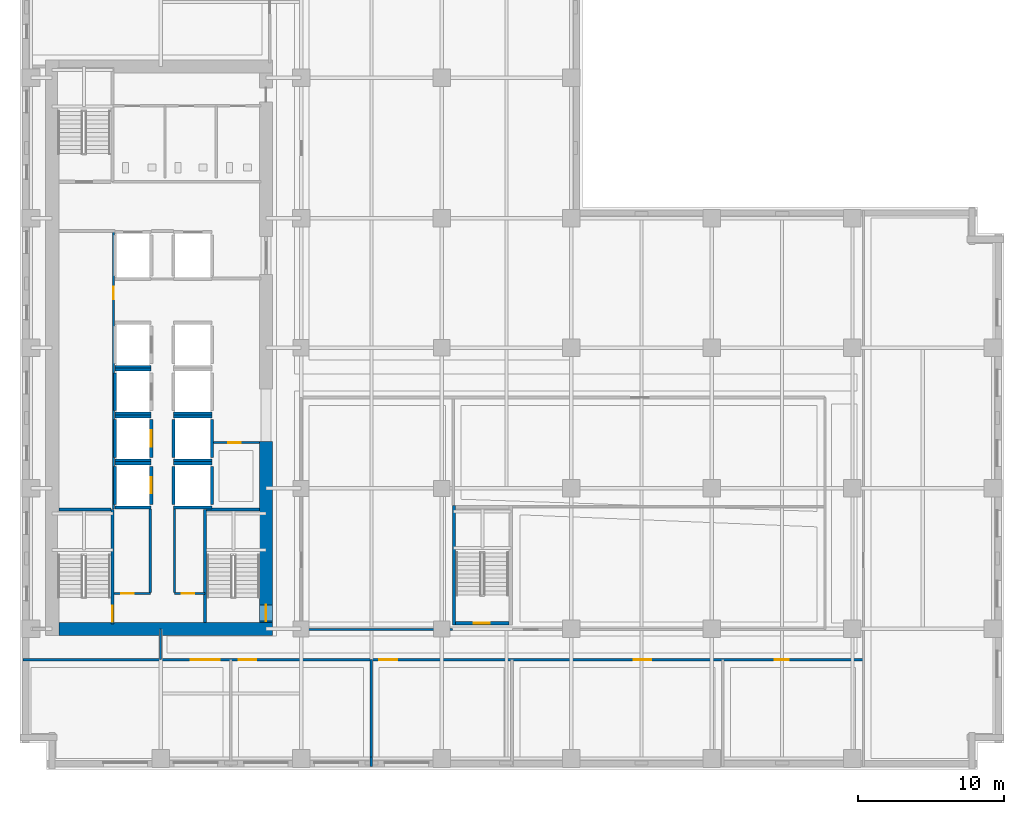
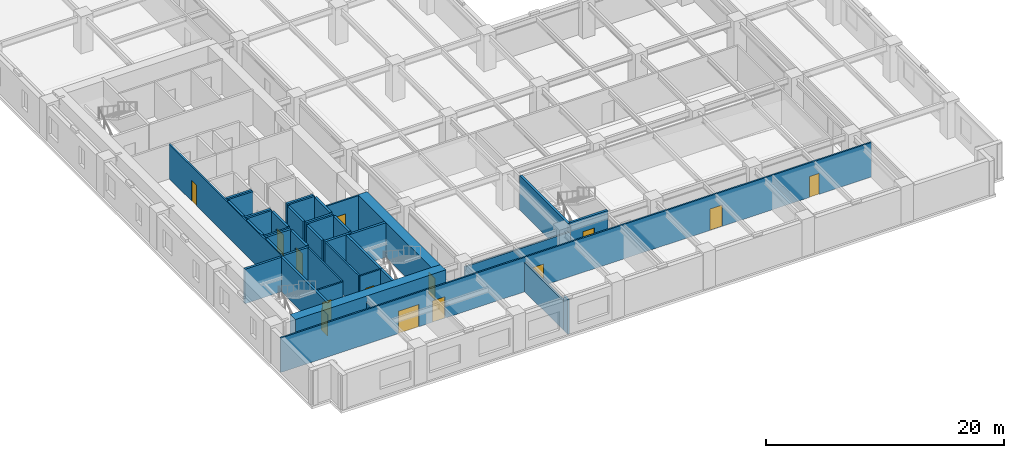
# One storey, part 4 of 13: 40 walls, 14 doors, 14 openings.
"""IFC4 building model written with IfcOpenShell, lengths in metres."""

from ifc_helpers import new_model, si_unit, direction, frame, frame_2d, origin, place, context, subcontext, project, spatial, rectangle, extrude, material, layer, layer_set, type_object, element, fill, save


model = new_model("IFC4")

# Units and contexts
model_context = context("Model", 3, precision=1e-05, world=origin(), true_north=direction((0.0, 1.0)))
body_context = subcontext(model_context, "Body", "Model", "MODEL_VIEW")
ifc_project = project(units=[si_unit("LENGTHUNIT", "METRE"), si_unit("AREAUNIT", "SQUARE_METRE"), si_unit("VOLUMEUNIT", "CUBIC_METRE"), si_unit("PLANEANGLEUNIT", "RADIAN"), si_unit("MASSUNIT", "GRAM", prefix="KILO")], contexts=[model_context])

# Site, building, storey
site_placement = place(None, origin())
site = spatial("IfcSite", under=ifc_project, at=site_placement, CompositionType="ELEMENT")
building_placement = place(site_placement, origin())
building = spatial("IfcBuilding", under=site, at=building_placement, Name="Norrvale University Quadrangle", CompositionType="ELEMENT")
storey_placement = place(building_placement, frame((0.0, 0.0, 31.800048828125)))
storey = spatial("IfcBuildingStorey", under=building, at=storey_placement, Name="L07", CompositionType="ELEMENT", Elevation=31.800048828125)

# Wall
ifc_material_1 = material(Name="Concrete C80/95", Category="concrete")
ifc_layer_1 = layer(ifc_material_1, 0.89990234375, Name="Concrete C80/95")
ifc_layer_set_1 = layer_set([ifc_layer_1], Name="Concrete C80/95")
wall_type_1 = type_object("IfcWallType", Name="Wall Core 900", PredefinedType="SHEAR", material=ifc_layer_set_1)
wall_1_placement = place(storey_placement, frame((2.64990234375, 9.60009765625, 0.0), z_axis=(0.0, 0.0, 1.0), x_axis=(1.0, 0.0, 0.0)))
element("IfcWall", 1, at=wall_1_placement, inside=storey, type_object=wall_type_1, Name="Tower Core Shear Wall L07-S", PredefinedType="SHEAR", context=body_context, shape_type="SweptSolid", body=[
    extrude(rectangle(XDim=14.60009765625, YDim=0.89990234375, at=frame_2d((7.300048828125, 0.0))), origin(), (0.0, 0.0, 1.0), 3.5400390625),
])

# Wall, opening, door
wall_2_placement = place(storey_placement, frame((16.800048828125, 10.050048828125, 0.0), z_axis=(0.0, 0.0, 1.0), x_axis=(0.0, 1.0, 0.0)))
wall_2 = element("IfcWall", 2, at=wall_2_placement, inside=storey, type_object=wall_type_1, Name="Tower Core Shear Wall L07-E1", PredefinedType="SHEAR", context=body_context, shape_type="SweptSolid", body=[
    extrude(rectangle(XDim=12.349853515625, YDim=0.89990234375, at=frame_2d((6.1748046875, 0.0))), origin(), (0.0, 0.0, 1.0), 3.5400390625),
])
opening_1_placement = place(wall_2_placement, frame((0.090087890625, 0.0, 0.0)))
opening_1 = element("IfcOpeningElement", 3, at=opening_1_placement, cuts=wall_2, Name="Opening D02", PredefinedType="OPENING", context=body_context, shape_type="SweptSolid", body=[
    extrude(rectangle(XDim=1.10009765625, YDim=2.199951171875, at=frame_2d((0.550048828125, 1.10009765625))), frame((0.0, 0.4619140625, 0.0), z_axis=(0.0, -1.0, 0.0), x_axis=(1.0, 0.0, 0.0)), (0.0, 0.0, 1.0), 0.923828125),
])
ifc_material_2 = material(Name="Hollow Steel 350W Fire Door", Category="steel")
door_type_1 = type_object("IfcDoorType", Name="Door Stair Exit 1100x2200", OperationType="NOTDEFINED", PredefinedType="DOOR", material=ifc_material_2)
door_1_placement = place(opening_1_placement, origin())
door_1 = element("IfcDoor", 4, at=door_1_placement, inside=storey, type_object=door_type_1, Name="Door Stair Exit 1100x2200 DR-L07-ST03", OperationType="SINGLE_SWING_LEFT", OverallHeight=2.199951171875, OverallWidth=1.10009765625, PredefinedType="DOOR", context=body_context, shape_type="SweptSolid", body=[
    extrude(rectangle(XDim=1.10009765625, YDim=2.199951171875, at=frame_2d((0.550048828125, 1.10009765625))), frame((0.0, 0.02490234375, 0.0), z_axis=(0.0, -1.0, 0.0), x_axis=(1.0, 0.0, 0.0)), (0.0, 0.0, 1.0), 0.050048828125),
])
fill(opening_1, door_1)

ifc_material_3 = material(Name="Fire-Rated Gypsum Stud Partition")
ifc_layer_2 = layer(ifc_material_3, 0.14990234375, Name="Fire-Rated Gypsum Stud Partition")
ifc_layer_set_2 = layer_set([ifc_layer_2], Name="Fire-Rated Gypsum Stud Partition")
wall_type_2 = type_object("IfcWallType", Name="Wall Gypsum Corridor 150", PredefinedType="PARTITIONING", material=ifc_layer_set_2)
wall_3_placement = place(storey_placement, frame((6.419921875, 12.02001953125, 0.0), z_axis=(0.0, 0.0, 1.0), x_axis=(1.0, 0.0, 0.0)))
wall_3 = element("IfcWall", 5, at=wall_3_placement, inside=storey, type_object=wall_type_2, Name="Interior Partition WL-L07-SC-NL", PredefinedType="PARTITIONING", context=body_context, shape_type="SweptSolid", body=[
    extrude(rectangle(XDim=2.47998046875, YDim=0.14990234375, at=frame_2d((1.239990234375, 0.0))), origin(), (0.0, 0.0, 1.0), 3.5400390625),
])
opening_2_placement = place(wall_3_placement, frame((0.5, 0.0, 0.0)))
opening_2 = element("IfcOpeningElement", 6, at=opening_2_placement, cuts=wall_3, Name="Opening D10", PredefinedType="OPENING", context=body_context, shape_type="SweptSolid", body=[
    extrude(rectangle(XDim=0.85009765625, YDim=2.10009765625, at=frame_2d((0.425048828125, 1.050048828125))), frame((0.0, 0.0869140625, 0.0), z_axis=(0.0, -1.0, 0.0), x_axis=(1.0, 0.0, 0.0)), (0.0, 0.0, 1.0), 0.173828125),
])
ifc_material_4 = material(Name="Hollow Steel 350W Riser Fire Door", Category="steel")
door_type_2 = type_object("IfcDoorType", Name="Door Riser 850x2100", OperationType="NOTDEFINED", PredefinedType="DOOR", material=ifc_material_4)
door_2_placement = place(opening_2_placement, origin())
door_2 = element("IfcDoor", 7, at=door_2_placement, inside=storey, type_object=door_type_2, Name="Door Riser 850x2100 DR-L07-ELEC", OperationType="SINGLE_SWING_LEFT", OverallHeight=2.10009765625, OverallWidth=0.85009765625, PredefinedType="DOOR", context=body_context, shape_type="SweptSolid", body=[
    extrude(rectangle(XDim=0.85009765625, YDim=2.10009765625, at=frame_2d((0.425048828125, 1.050048828125))), frame((0.0, 0.02490234375, 0.0), z_axis=(0.0, -1.0, 0.0), x_axis=(1.0, 0.0, 0.0)), (0.0, 0.0, 1.0), 0.050048828125),
])
fill(opening_2, door_2)

wall_4_placement = place(storey_placement, frame((10.550048828125, 12.02001953125, 0.0), z_axis=(0.0, 0.0, 1.0), x_axis=(1.0, 0.0, 0.0)))
wall_4 = element("IfcWall", 8, at=wall_4_placement, inside=storey, type_object=wall_type_2, Name="Interior Partition WL-L07-SC-NR", PredefinedType="PARTITIONING", context=body_context, shape_type="SweptSolid", body=[
    extrude(rectangle(XDim=2.079833984375, YDim=0.14990234375, at=frame_2d((1.0400390625, 0.0))), origin(), (0.0, 0.0, 1.0), 3.5400390625),
])
opening_3_placement = place(wall_4_placement, frame((0.5, 0.0, 0.0)))
opening_3 = element("IfcOpeningElement", 9, at=opening_3_placement, cuts=wall_4, Name="Opening D10", PredefinedType="OPENING", context=body_context, shape_type="SweptSolid", body=[
    extrude(rectangle(XDim=0.85009765625, YDim=2.10009765625, at=frame_2d((0.425048828125, 1.050048828125))), frame((0.0, 0.0869140625, 0.0), z_axis=(0.0, -1.0, 0.0), x_axis=(1.0, 0.0, 0.0)), (0.0, 0.0, 1.0), 0.173828125),
])
door_3_placement = place(opening_3_placement, origin())
door_3 = element("IfcDoor", 10, at=door_3_placement, inside=storey, type_object=door_type_2, Name="Door Riser 850x2100 DR-L07-IDF", OperationType="SINGLE_SWING_RIGHT", OverallHeight=2.10009765625, OverallWidth=0.85009765625, PredefinedType="DOOR", context=body_context, shape_type="SweptSolid", body=[
    extrude(rectangle(XDim=0.85009765625, YDim=2.10009765625, at=frame_2d((0.425048828125, 1.050048828125))), frame((0.0, 0.02490234375, 0.0), z_axis=(0.0, -1.0, 0.0), x_axis=(1.0, 0.0, 0.0)), (0.0, 0.0, 1.0), 0.050048828125),
])
fill(opening_3, door_3)

# Walls
for number, where, z_axis, x_axis, name in (
    (11, (8.89990234375, 12.094970703125, 0.0), (0.0, 0.0, 1.0), (0.0, 1.0, 0.0), "Interior Partition WL-L07-SC-WL"),
    (12, (10.550048828125, 12.094970703125, 0.0), (0.0, 0.0, 1.0), (0.0, 1.0, 0.0), "Interior Partition WL-L07-SC-WR"),
):
    element("IfcWall", number, at=place(storey_placement, frame(where, z_axis=z_axis, x_axis=x_axis)), inside=storey, type_object=wall_type_2, Name=name, PredefinedType="PARTITIONING", context=body_context, shape_type="SweptSolid", body=[
        extrude(rectangle(XDim=5.679931640625, YDim=0.14990234375, at=frame_2d((2.83984375, 0.0))), origin(), (0.0, 0.0, 1.0), 3.5400390625),
    ])

# Wall, opening, door
wall_5_placement = place(storey_placement, frame((13.22509765625, 22.320068359375, 0.0), z_axis=(0.0, 0.0, 1.0), x_axis=(1.0, 0.0, 0.0)))
wall_5 = element("IfcWall", 13, at=wall_5_placement, inside=storey, type_object=wall_type_2, Name="Interior Partition WL-L07-JAN-N", PredefinedType="PARTITIONING", context=body_context, shape_type="SweptSolid", body=[
    extrude(rectangle(XDim=3.119873046875, YDim=0.14990234375, at=frame_2d((1.56005859375, 0.0))), origin(), (0.0, 0.0, 1.0), 3.5400390625),
])
opening_4_placement = place(wall_5_placement, frame((1.0, 0.0, 0.0)))
opening_4 = element("IfcOpeningElement", 14, at=opening_4_placement, cuts=wall_5, Name="Opening D10", PredefinedType="OPENING", context=body_context, shape_type="SweptSolid", body=[
    extrude(rectangle(XDim=0.85009765625, YDim=2.10009765625, at=frame_2d((0.425048828125, 1.050048828125))), frame((0.0, 0.0869140625, 0.0), z_axis=(0.0, -1.0, 0.0), x_axis=(1.0, 0.0, 0.0)), (0.0, 0.0, 1.0), 0.173828125),
])
door_4_placement = place(opening_4_placement, origin())
door_4 = element("IfcDoor", 15, at=door_4_placement, inside=storey, type_object=door_type_2, Name="Door Riser 850x2100 DR-L07-JAN", OperationType="SINGLE_SWING_LEFT", OverallHeight=2.10009765625, OverallWidth=0.85009765625, PredefinedType="DOOR", context=body_context, shape_type="SweptSolid", body=[
    extrude(rectangle(XDim=0.85009765625, YDim=2.10009765625, at=frame_2d((0.425048828125, 1.050048828125))), frame((0.0, 0.02490234375, 0.0), z_axis=(0.0, -1.0, 0.0), x_axis=(1.0, 0.0, 0.0)), (0.0, 0.0, 1.0), 0.050048828125),
])
fill(opening_4, door_4)

wall_6_placement = place(storey_placement, frame((6.3798828125, 17.800048828125, 0.0), z_axis=(0.0, 0.0, 1.0), x_axis=(0.0, 1.0, 0.0)))
wall_6 = element("IfcWall", 16, at=wall_6_placement, inside=storey, type_object=wall_type_2, Name="Interior Partition WL-L07-WME-E", PredefinedType="PARTITIONING", context=body_context, shape_type="SweptSolid", body=[
    extrude(rectangle(XDim=18.97998046875, YDim=0.14990234375, at=frame_2d((9.489990234375, 0.0))), origin(), (0.0, 0.0, 1.0), 3.5400390625),
])
opening_5_placement = place(wall_6_placement, frame((14.300048828125, 0.0, 0.0)))
opening_5 = element("IfcOpeningElement", 17, at=opening_5_placement, cuts=wall_6, Name="Opening D10", PredefinedType="OPENING", context=body_context, shape_type="SweptSolid", body=[
    extrude(rectangle(XDim=0.85009765625, YDim=2.10009765625, at=frame_2d((0.425048828125, 1.050048828125))), frame((0.0, 0.0869140625, 0.0), z_axis=(0.0, -1.0, 0.0), x_axis=(1.0, 0.0, 0.0)), (0.0, 0.0, 1.0), 0.173828125),
])
door_5_placement = place(opening_5_placement, origin())
door_5 = element("IfcDoor", 18, at=door_5_placement, inside=storey, type_object=door_type_2, Name="Door Riser 850x2100 DR-L07-WME", OperationType="SINGLE_SWING_LEFT", OverallHeight=2.10009765625, OverallWidth=0.85009765625, PredefinedType="DOOR", context=body_context, shape_type="SweptSolid", body=[
    extrude(rectangle(XDim=0.85009765625, YDim=2.10009765625, at=frame_2d((0.425048828125, 1.050048828125))), frame((0.0, 0.02490234375, 0.0), z_axis=(0.0, -1.0, 0.0), x_axis=(1.0, 0.0, 0.0)), (0.0, 0.0, 1.0), 0.050048828125),
])
fill(opening_5, door_5)

# Wall
wall_7_placement = place(storey_placement, frame((9.60009765625, 7.5, 0.0), z_axis=(0.0, 0.0, 1.0), x_axis=(0.0, 1.0, 0.0)))
element("IfcWall", 19, at=wall_7_placement, inside=storey, type_object=wall_type_2, Name="Interior Partition WL-L07-CSW-END", PredefinedType="PARTITIONING", context=body_context, shape_type="SweptSolid", body=[
    extrude(rectangle(XDim=2.10009765625, YDim=0.14990234375, at=frame_2d((1.050048828125, 0.0))), origin(), (0.0, 0.0, 1.0), 2.9228515625),
])

# Wall, openings, doors
wall_8_placement = place(storey_placement, frame((0.219970703125, 7.5, 0.0), z_axis=(0.0, 0.0, 1.0), x_axis=(1.0, 0.0, 0.0)))
wall_8 = element("IfcWall", 20, at=wall_8_placement, inside=storey, type_object=wall_type_2, Name="Interior Partition WL-L07-SCW", PredefinedType="PARTITIONING", context=body_context, shape_type="SweptSolid", body=[
    extrude(rectangle(XDim=57.380126953125, YDim=0.14990234375, at=frame_2d((28.68994140625, 0.0))), origin(), (0.0, 0.0, 1.0), 3.5400390625),
])
opening_6_placement = place(wall_8_placement, frame((11.429931640625, 0.0, 0.0)))
opening_6 = element("IfcOpeningElement", 21, at=opening_6_placement, cuts=wall_8, Name="Opening D06", PredefinedType="OPENING", context=body_context, shape_type="SweptSolid", body=[
    extrude(rectangle(XDim=2.0, YDim=2.300048828125, at=frame_2d((1.0, 1.14990234375))), frame((0.0, 0.0869140625, 0.0), z_axis=(0.0, -1.0, 0.0), x_axis=(1.0, 0.0, 0.0)), (0.0, 0.0, 1.0), 0.173828125),
])
opening_7_placement = place(wall_8_placement, frame((14.72998046875, 0.0, 0.0)))
opening_7 = element("IfcOpeningElement", 22, at=opening_7_placement, cuts=wall_8, Name="Opening D05", PredefinedType="OPENING", context=body_context, shape_type="SweptSolid", body=[
    extrude(rectangle(XDim=1.199951171875, YDim=2.199951171875, at=frame_2d((0.60009765625, 1.10009765625))), frame((0.0, 0.0869140625, 0.0), z_axis=(0.0, -1.0, 0.0), x_axis=(1.0, 0.0, 0.0)), (0.0, 0.0, 1.0), 0.173828125),
])
opening_8_placement = place(wall_8_placement, frame((24.330078125, 0.0, 0.0)))
opening_8 = element("IfcOpeningElement", 23, at=opening_8_placement, cuts=wall_8, Name="Opening D05", PredefinedType="OPENING", context=body_context, shape_type="SweptSolid", body=[
    extrude(rectangle(XDim=1.199951171875, YDim=2.199951171875, at=frame_2d((0.60009765625, 1.10009765625))), frame((0.0, 0.0869140625, 0.0), z_axis=(0.0, -1.0, 0.0), x_axis=(1.0, 0.0, 0.0)), (0.0, 0.0, 1.0), 0.173828125),
])
opening_9_placement = place(wall_8_placement, frame((41.679931640625, 0.0, 0.0)))
opening_9 = element("IfcOpeningElement", 24, at=opening_9_placement, cuts=wall_8, Name="Opening D05", PredefinedType="OPENING", context=body_context, shape_type="SweptSolid", body=[
    extrude(rectangle(XDim=1.199951171875, YDim=2.199951171875, at=frame_2d((0.60009765625, 1.10009765625))), frame((0.0, 0.0869140625, 0.0), z_axis=(0.0, -1.0, 0.0), x_axis=(1.0, 0.0, 0.0)), (0.0, 0.0, 1.0), 0.173828125),
])
opening_10_placement = place(wall_8_placement, frame((51.330078125, 0.0, 0.0)))
opening_10 = element("IfcOpeningElement", 25, at=opening_10_placement, cuts=wall_8, Name="Opening D07", PredefinedType="OPENING", context=body_context, shape_type="SweptSolid", body=[
    extrude(rectangle(XDim=0.949951171875, YDim=2.14990234375, at=frame_2d((0.47509765625, 1.074951171875))), frame((0.0, 0.0869140625, 0.0), z_axis=(0.0, -1.0, 0.0), x_axis=(1.0, 0.0, 0.0)), (0.0, 0.0, 1.0), 0.173828125),
])
ifc_material_5 = material(Name="Acoustic Oak Classroom Door", Category="wood")
door_type_3 = type_object("IfcDoorType", Name="Door Classroom 1200x2200", OperationType="NOTDEFINED", PredefinedType="DOOR", material=ifc_material_5)
door_6_placement = place(opening_7_placement, origin())
door_6 = element("IfcDoor", 26, at=door_6_placement, inside=storey, type_object=door_type_3, Name="Door Classroom 1200x2200 DR-L07-S02", OperationType="SINGLE_SWING_RIGHT", OverallHeight=2.199951171875, OverallWidth=1.199951171875, PredefinedType="DOOR", context=body_context, shape_type="SweptSolid", body=[
    extrude(rectangle(XDim=1.199951171875, YDim=2.199951171875, at=frame_2d((0.60009765625, 1.10009765625))), frame((0.0, 0.02490234375, 0.0), z_axis=(0.0, -1.0, 0.0), x_axis=(1.0, 0.0, 0.0)), (0.0, 0.0, 1.0), 0.050048828125),
])
fill(opening_7, door_6)
door_7_placement = place(opening_8_placement, origin())
door_7 = element("IfcDoor", 27, at=door_7_placement, inside=storey, type_object=door_type_3, Name="Door Classroom 1200x2200 DR-L07-S03", OperationType="SINGLE_SWING_LEFT", OverallHeight=2.199951171875, OverallWidth=1.199951171875, PredefinedType="DOOR", context=body_context, shape_type="SweptSolid", body=[
    extrude(rectangle(XDim=1.199951171875, YDim=2.199951171875, at=frame_2d((0.60009765625, 1.10009765625))), frame((0.0, 0.02490234375, 0.0), z_axis=(0.0, -1.0, 0.0), x_axis=(1.0, 0.0, 0.0)), (0.0, 0.0, 1.0), 0.050048828125),
])
fill(opening_8, door_7)
door_8_placement = place(opening_9_placement, origin())
door_8 = element("IfcDoor", 28, at=door_8_placement, inside=storey, type_object=door_type_3, Name="Door Classroom 1200x2200 DR-L07-S04", OperationType="SINGLE_SWING_RIGHT", OverallHeight=2.199951171875, OverallWidth=1.199951171875, PredefinedType="DOOR", context=body_context, shape_type="SweptSolid", body=[
    extrude(rectangle(XDim=1.199951171875, YDim=2.199951171875, at=frame_2d((0.60009765625, 1.10009765625))), frame((0.0, 0.02490234375, 0.0), z_axis=(0.0, -1.0, 0.0), x_axis=(1.0, 0.0, 0.0)), (0.0, 0.0, 1.0), 0.050048828125),
])
fill(opening_9, door_8)
ifc_material_6 = material(Name="Acoustic Oak Double Door", Category="wood")
door_type_4 = type_object("IfcDoorType", Name="Door Lecture Dbl 2000x2300", OperationType="DOUBLE_SWING_LEFT", PredefinedType="DOOR", material=ifc_material_6)
door_9_placement = place(opening_6_placement, origin())
door_9 = element("IfcDoor", 29, at=door_9_placement, inside=storey, type_object=door_type_4, Name="Door Lecture Dbl 2000x2300 DR-L07-S01", OperationType="DOUBLE_SWING_LEFT", OverallHeight=2.300048828125, OverallWidth=2.0, PredefinedType="DOOR", context=body_context, shape_type="SweptSolid", body=[
    extrude(rectangle(XDim=2.0, YDim=2.300048828125, at=frame_2d((1.0, 1.14990234375))), frame((0.0, 0.02490234375, 0.0), z_axis=(0.0, -1.0, 0.0), x_axis=(1.0, 0.0, 0.0)), (0.0, 0.0, 1.0), 0.050048828125),
])
fill(opening_6, door_9)
ifc_material_7 = material(Name="Solid-Core Maple Door", Category="wood")
door_type_5 = type_object("IfcDoorType", Name="Door Office 950x2150", OperationType="NOTDEFINED", PredefinedType="DOOR", material=ifc_material_7)
door_10_placement = place(opening_10_placement, origin())
door_10 = element("IfcDoor", 30, at=door_10_placement, inside=storey, type_object=door_type_5, Name="Door Office 950x2150 DR-L07-S05", OperationType="SINGLE_SWING_LEFT", OverallHeight=2.14990234375, OverallWidth=0.949951171875, PredefinedType="DOOR", context=body_context, shape_type="SweptSolid", body=[
    extrude(rectangle(XDim=0.949951171875, YDim=2.14990234375, at=frame_2d((0.47509765625, 1.074951171875))), frame((0.0, 0.02490234375, 0.0), z_axis=(0.0, -1.0, 0.0), x_axis=(1.0, 0.0, 0.0)), (0.0, 0.0, 1.0), 0.050048828125),
])
fill(opening_10, door_10)

# Walls
wall_9_placement = place(storey_placement, frame((19.280029296875, 9.550048828125, 0.0), z_axis=(0.0, 0.0, 1.0), x_axis=(1.0, 0.0, 0.0)))
element("IfcWall", 31, at=wall_9_placement, inside=storey, type_object=wall_type_2, Name="Interior Partition WL-L07-ISLS1", PredefinedType="PARTITIONING", context=body_context, shape_type="SweptSolid", body=[
    extrude(rectangle(XDim=10.244873046875, YDim=0.14990234375, at=frame_2d((5.12255859375, 0.0))), origin(), (0.0, 0.0, 1.0), 2.9228515625),
])
ifc_material_8 = material(Name="Acoustic Double-Stud Gypsum Partition")
ifc_layer_3 = layer(ifc_material_8, 0.179931640625, Name="Acoustic Double-Stud Gypsum Partition")
ifc_layer_set_3 = layer_set([ifc_layer_3], Name="Acoustic Double-Stud Gypsum Partition")
wall_type_3 = type_object("IfcWallType", Name="Wall Gypsum Lecture 180", PredefinedType="PARTITIONING", material=ifc_layer_set_3)
wall_10_placement = place(storey_placement, frame((24.0, 0.219970703125, 0.0), z_axis=(0.0, 0.0, 1.0), x_axis=(0.0, 1.0, 0.0)))
element("IfcWall", 32, at=wall_10_placement, inside=storey, type_object=wall_type_3, Name="Interior Partition WL-L07-SP02", PredefinedType="PARTITIONING", context=body_context, shape_type="SweptSolid", body=[
    extrude(rectangle(XDim=0.64501953125, YDim=0.179931640625, at=frame_2d((0.322509765625, 0.0))), origin(), (0.0, 0.0, 1.0), 3.5400390625),
])
wall_11_placement = place(storey_placement, frame((24.0, 0.864990234375, 0.0), z_axis=(0.0, 0.0, 1.0), x_axis=(0.0, 1.0, 0.0)))
element("IfcWall", 33, at=wall_11_placement, inside=storey, type_object=wall_type_3, Name="Interior Partition WL-L07-SP02-B2", PredefinedType="PARTITIONING", context=body_context, shape_type="SweptSolid", body=[
    extrude(rectangle(XDim=6.635009765625, YDim=0.179931640625, at=frame_2d((3.3173828125, 0.0))), origin(), (0.0, 0.0, 1.0), 3.0068359375),
])

# Wall, opening, door
ifc_material_9 = material(Name="Concrete Blockwork 20 MPa Fire Shaft", Category="masonry")
ifc_layer_4 = layer(ifc_material_9, 0.219970703125, Name="Concrete Blockwork 20 MPa Fire Shaft")
ifc_layer_set_4 = layer_set([ifc_layer_4], Name="Concrete Blockwork 20 MPa Fire Shaft")
wall_type_4 = type_object("IfcWallType", Name="Wall Shaft 220", PredefinedType="SOLIDWALL", material=ifc_layer_set_4)
wall_12_placement = place(storey_placement, frame((6.31005859375, 9.949951171875, 0.0), z_axis=(0.0, 0.0, 1.0), x_axis=(0.0, 1.0, 0.0)))
wall_12 = element("IfcWall", 34, at=wall_12_placement, inside=storey, type_object=wall_type_4, Name="Stair ST-01 East Shaft Wall L07", PredefinedType="SOLIDWALL", context=body_context, shape_type="SweptSolid", body=[
    extrude(rectangle(XDim=7.81005859375, YDim=0.219970703125, at=frame_2d((3.905029296875, 0.0))), origin(), (0.0, 0.0, 1.0), 3.5400390625),
])
opening_11_placement = place(wall_12_placement, frame((0.139892578125, 0.0, 0.0)))
opening_11 = element("IfcOpeningElement", 35, at=opening_11_placement, cuts=wall_12, Name="Opening D02", PredefinedType="OPENING", context=body_context, shape_type="SweptSolid", body=[
    extrude(rectangle(XDim=1.10009765625, YDim=2.199951171875, at=frame_2d((0.550048828125, 1.10009765625))), frame((0.0, 0.1220703125, 0.0), z_axis=(0.0, -1.0, 0.0), x_axis=(1.0, 0.0, 0.0)), (0.0, 0.0, 1.0), 0.243896484375),
])
door_11_placement = place(opening_11_placement, origin())
door_11 = element("IfcDoor", 36, at=door_11_placement, inside=storey, type_object=door_type_1, Name="Door Stair Exit 1100x2200 DR-L07-ST01", OperationType="SINGLE_SWING_LEFT", OverallHeight=2.199951171875, OverallWidth=1.10009765625, PredefinedType="DOOR", context=body_context, shape_type="SweptSolid", body=[
    extrude(rectangle(XDim=1.10009765625, YDim=2.199951171875, at=frame_2d((0.550048828125, 1.10009765625))), frame((0.0, 0.02490234375, 0.0), z_axis=(0.0, -1.0, 0.0), x_axis=(1.0, 0.0, 0.0)), (0.0, 0.0, 1.0), 0.050048828125),
])
fill(opening_11, door_11)

# Walls
wall_13_placement = place(storey_placement, frame((2.64990234375, 17.760009765625, 0.0), z_axis=(0.0, 0.0, 1.0), x_axis=(1.0, 0.0, 0.0)))
element("IfcWall", 37, at=wall_13_placement, inside=storey, type_object=wall_type_4, Name="Stair ST-01 North Shaft Wall L07", PredefinedType="SOLIDWALL", context=body_context, shape_type="SweptSolid", body=[
    extrude(rectangle(XDim=3.550048828125, YDim=0.219970703125, at=frame_2d((1.77490234375, 0.0))), origin(), (0.0, 0.0, 1.0), 3.5400390625),
])
wall_14_placement = place(storey_placement, frame((12.639892578125, 10.050048828125, 0.0), z_axis=(0.0, 0.0, 1.0), x_axis=(0.0, 1.0, 0.0)))
element("IfcWall", 38, at=wall_14_placement, inside=storey, type_object=wall_type_4, Name="Stair ST-03 West Shaft Wall L07", PredefinedType="SOLIDWALL", context=body_context, shape_type="SweptSolid", body=[
    extrude(rectangle(XDim=7.7099609375, YDim=0.219970703125, at=frame_2d((3.85498046875, 0.0))), origin(), (0.0, 0.0, 1.0), 3.5400390625),
])
wall_15_placement = place(storey_placement, frame((12.75, 17.760009765625, 0.0), z_axis=(0.0, 0.0, 1.0), x_axis=(1.0, 0.0, 0.0)))
element("IfcWall", 39, at=wall_15_placement, inside=storey, type_object=wall_type_4, Name="Stair ST-03 North Shaft Wall L07", PredefinedType="SOLIDWALL", context=body_context, shape_type="SweptSolid", body=[
    extrude(rectangle(XDim=3.60009765625, YDim=0.219970703125, at=frame_2d((1.800048828125, 0.0))), origin(), (0.0, 0.0, 1.0), 3.5400390625),
])

# Wall, opening, door
wall_16_placement = place(storey_placement, frame((29.75, 9.989990234375, 0.0), z_axis=(0.0, 0.0, 1.0), x_axis=(1.0, 0.0, 0.0)))
wall_16 = element("IfcWall", 40, at=wall_16_placement, inside=storey, type_object=wall_type_4, Name="Stair ST-04 South Shaft Wall L07", PredefinedType="SOLIDWALL", context=body_context, shape_type="SweptSolid", body=[
    extrude(rectangle(XDim=3.64990234375, YDim=0.219970703125, at=frame_2d((1.824951171875, 0.0))), origin(), (0.0, 0.0, 1.0), 3.5400390625),
])
opening_12_placement = place(wall_16_placement, frame((1.239990234375, 0.0, 0.0)))
opening_12 = element("IfcOpeningElement", 41, at=opening_12_placement, cuts=wall_16, Name="Opening D02", PredefinedType="OPENING", context=body_context, shape_type="SweptSolid", body=[
    extrude(rectangle(XDim=1.10009765625, YDim=2.199951171875, at=frame_2d((0.550048828125, 1.10009765625))), frame((0.0, 0.1220703125, 0.0), z_axis=(0.0, -1.0, 0.0), x_axis=(1.0, 0.0, 0.0)), (0.0, 0.0, 1.0), 0.243896484375),
])
door_12_placement = place(opening_12_placement, origin())
door_12 = element("IfcDoor", 42, at=door_12_placement, inside=storey, type_object=door_type_1, Name="Door Stair Exit 1100x2200 DR-L07-ST04", OperationType="SINGLE_SWING_LEFT", OverallHeight=2.199951171875, OverallWidth=1.10009765625, PredefinedType="DOOR", context=body_context, shape_type="SweptSolid", body=[
    extrude(rectangle(XDim=1.10009765625, YDim=2.199951171875, at=frame_2d((0.550048828125, 1.10009765625))), frame((0.0, 0.02490234375, 0.0), z_axis=(0.0, -1.0, 0.0), x_axis=(1.0, 0.0, 0.0)), (0.0, 0.0, 1.0), 0.050048828125),
])
fill(opening_12, door_12)

# Walls
wall_17_placement = place(storey_placement, frame((29.639892578125, 9.8798828125, 0.0), z_axis=(0.0, 0.0, 1.0), x_axis=(0.0, 1.0, 0.0)))
element("IfcWall", 43, at=wall_17_placement, inside=storey, type_object=wall_type_4, Name="Stair ST-04 West Shaft Wall L07", PredefinedType="SOLIDWALL", context=body_context, shape_type="SweptSolid", body=[
    extrude(rectangle(XDim=8.14013671875, YDim=0.219970703125, at=frame_2d((4.070068359375, 0.0))), origin(), (0.0, 0.0, 1.0), 3.5400390625),
])
wall_18_placement = place(storey_placement, frame((6.489990234375, 18.110107421875, 0.0), z_axis=(0.0, 0.0, 1.0), x_axis=(0.0, 1.0, 0.0)))
element("IfcWall", 44, at=wall_18_placement, inside=storey, type_object=wall_type_4, Name="Hoistway PL-01 West Wall L07", PredefinedType="SOLIDWALL", context=body_context, shape_type="SweptSolid", body=[
    extrude(rectangle(XDim=2.579833984375, YDim=0.219970703125, at=frame_2d((1.2900390625, 0.0))), origin(), (0.0, 0.0, 1.0), 3.5400390625),
])

# Wall, opening, door
wall_19_placement = place(storey_placement, frame((8.9599609375, 18.110107421875, 0.0), z_axis=(0.0, 0.0, 1.0), x_axis=(0.0, 1.0, 0.0)))
wall_19 = element("IfcWall", 45, at=wall_19_placement, inside=storey, type_object=wall_type_4, Name="Hoistway PL-01 East Wall L07", PredefinedType="SOLIDWALL", context=body_context, shape_type="SweptSolid", body=[
    extrude(rectangle(XDim=2.579833984375, YDim=0.219970703125, at=frame_2d((1.2900390625, 0.0))), origin(), (0.0, 0.0, 1.0), 3.5400390625),
])
opening_13_placement = place(wall_19_placement, frame((0.739990234375, 0.0, 0.0)))
opening_13 = element("IfcOpeningElement", 46, at=opening_13_placement, cuts=wall_19, Name="Opening LD1", PredefinedType="OPENING", context=body_context, shape_type="SweptSolid", body=[
    extrude(rectangle(XDim=1.10009765625, YDim=2.199951171875, at=frame_2d((0.550048828125, 1.10009765625))), frame((0.0, 0.1220703125, 0.0), z_axis=(0.0, -1.0, 0.0), x_axis=(1.0, 0.0, 0.0)), (0.0, 0.0, 1.0), 0.243896484375),
])
ifc_material_10 = material(Name="Stainless Steel 316L Lift Landing Door", Category="steel")
door_type_6 = type_object("IfcDoorType", Name="Door Lift Landing 1100x2200", OperationType="DOUBLE_DOOR_SLIDING", PredefinedType="DOOR", material=ifc_material_10)
door_13_placement = place(opening_13_placement, origin())
door_13 = element("IfcDoor", 47, at=door_13_placement, inside=storey, type_object=door_type_6, Name="Elevator Landing Door DR-L07-PL-01", OperationType="DOUBLE_DOOR_SLIDING", OverallHeight=2.199951171875, OverallWidth=1.10009765625, PredefinedType="DOOR", context=body_context, shape_type="SweptSolid", body=[
    extrude(rectangle(XDim=1.10009765625, YDim=2.199951171875, at=frame_2d((0.550048828125, 1.10009765625))), frame((0.0, 0.02490234375, 0.0), z_axis=(0.0, -1.0, 0.0), x_axis=(1.0, 0.0, 0.0)), (0.0, 0.0, 1.0), 0.050048828125),
])
fill(opening_13, door_13)

# Walls
for number, where, z_axis, x_axis, name in (
    (48, (6.489990234375, 17.889892578125, 0.0), (0.0, 0.0, 1.0), (1.0, 0.0, 0.0), "Hoistway PL-01 South Wall L07"),
    (49, (6.489990234375, 20.909912109375, 0.0), (0.0, 0.0, 1.0), (1.0, 0.0, 0.0), "Hoistway PL-01 North Wall L07"),
):
    element("IfcWall", number, at=place(storey_placement, frame(where, z_axis=z_axis, x_axis=x_axis)), inside=storey, type_object=wall_type_4, Name=name, PredefinedType="SOLIDWALL", context=body_context, shape_type="SweptSolid", body=[
        extrude(rectangle(XDim=2.469970703125, YDim=0.219970703125, at=frame_2d((1.23486328125, 0.0))), origin(), (0.0, 0.0, 1.0), 3.5400390625),
    ])
wall_20_placement = place(storey_placement, frame((6.489990234375, 21.31005859375, 0.0), z_axis=(0.0, 0.0, 1.0), x_axis=(0.0, 1.0, 0.0)))
element("IfcWall", 50, at=wall_20_placement, inside=storey, type_object=wall_type_4, Name="Hoistway PL-02 West Wall L07", PredefinedType="SOLIDWALL", context=body_context, shape_type="SweptSolid", body=[
    extrude(rectangle(XDim=2.579833984375, YDim=0.219970703125, at=frame_2d((1.2900390625, 0.0))), origin(), (0.0, 0.0, 1.0), 3.5400390625),
])

# Wall, opening, door
wall_21_placement = place(storey_placement, frame((8.9599609375, 21.31005859375, 0.0), z_axis=(0.0, 0.0, 1.0), x_axis=(0.0, 1.0, 0.0)))
wall_21 = element("IfcWall", 51, at=wall_21_placement, inside=storey, type_object=wall_type_4, Name="Hoistway PL-02 East Wall L07", PredefinedType="SOLIDWALL", context=body_context, shape_type="SweptSolid", body=[
    extrude(rectangle(XDim=2.579833984375, YDim=0.219970703125, at=frame_2d((1.2900390625, 0.0))), origin(), (0.0, 0.0, 1.0), 3.5400390625),
])
opening_14_placement = place(wall_21_placement, frame((0.739990234375, 0.0, 0.0)))
opening_14 = element("IfcOpeningElement", 52, at=opening_14_placement, cuts=wall_21, Name="Opening LD1", PredefinedType="OPENING", context=body_context, shape_type="SweptSolid", body=[
    extrude(rectangle(XDim=1.10009765625, YDim=2.199951171875, at=frame_2d((0.550048828125, 1.10009765625))), frame((0.0, 0.1220703125, 0.0), z_axis=(0.0, -1.0, 0.0), x_axis=(1.0, 0.0, 0.0)), (0.0, 0.0, 1.0), 0.243896484375),
])
door_14_placement = place(opening_14_placement, origin())
door_14 = element("IfcDoor", 53, at=door_14_placement, inside=storey, type_object=door_type_6, Name="Elevator Landing Door DR-L07-PL-02", OperationType="DOUBLE_DOOR_SLIDING", OverallHeight=2.199951171875, OverallWidth=1.10009765625, PredefinedType="DOOR", context=body_context, shape_type="SweptSolid", body=[
    extrude(rectangle(XDim=1.10009765625, YDim=2.199951171875, at=frame_2d((0.550048828125, 1.10009765625))), frame((0.0, 0.02490234375, 0.0), z_axis=(0.0, -1.0, 0.0), x_axis=(1.0, 0.0, 0.0)), (0.0, 0.0, 1.0), 0.050048828125),
])
fill(opening_14, door_14)

# Walls
for number, where, z_axis, x_axis, name in (
    (54, (6.489990234375, 21.090087890625, 0.0), (0.0, 0.0, 1.0), (1.0, 0.0, 0.0), "Hoistway PL-02 South Wall L07"),
    (55, (6.489990234375, 24.110107421875, 0.0), (0.0, 0.0, 1.0), (1.0, 0.0, 0.0), "Hoistway PL-02 North Wall L07"),
):
    element("IfcWall", number, at=place(storey_placement, frame(where, z_axis=z_axis, x_axis=x_axis)), inside=storey, type_object=wall_type_4, Name=name, PredefinedType="SOLIDWALL", context=body_context, shape_type="SweptSolid", body=[
        extrude(rectangle(XDim=2.469970703125, YDim=0.219970703125, at=frame_2d((1.23486328125, 0.0))), origin(), (0.0, 0.0, 1.0), 3.5400390625),
    ])
wall_22_placement = place(storey_placement, frame((6.489990234375, 24.510009765625, 0.0), z_axis=(0.0, 0.0, 1.0), x_axis=(0.0, 1.0, 0.0)))
element("IfcWall", 56, at=wall_22_placement, inside=storey, type_object=wall_type_4, Name="Hoistway PL-03 West Wall L07", PredefinedType="SOLIDWALL", context=body_context, shape_type="SweptSolid", body=[
    extrude(rectangle(XDim=2.580078125, YDim=0.219970703125, at=frame_2d((1.2900390625, 0.0))), origin(), (0.0, 0.0, 1.0), 3.5400390625),
])
for number, where, z_axis, x_axis, name in (
    (57, (6.489990234375, 24.2900390625, 0.0), (0.0, 0.0, 1.0), (1.0, 0.0, 0.0), "Hoistway PL-03 South Wall L07"),
    (58, (6.489990234375, 27.31005859375, 0.0), (0.0, 0.0, 1.0), (1.0, 0.0, 0.0), "Hoistway PL-03 North Wall L07"),
    (59, (6.489990234375, 27.489990234375, 0.0), (0.0, 0.0, 1.0), (1.0, 0.0, 0.0), "Hoistway PL-04 South Wall L07"),
):
    element("IfcWall", number, at=place(storey_placement, frame(where, z_axis=z_axis, x_axis=x_axis)), inside=storey, type_object=wall_type_4, Name=name, PredefinedType="SOLIDWALL", context=body_context, shape_type="SweptSolid", body=[
        extrude(rectangle(XDim=2.469970703125, YDim=0.219970703125, at=frame_2d((1.23486328125, 0.0))), origin(), (0.0, 0.0, 1.0), 3.5400390625),
    ])
for number, where, z_axis, x_axis, name in (
    (60, (10.489990234375, 18.110107421875, 0.0), (0.0, 0.0, 1.0), (0.0, 1.0, 0.0), "Hoistway PL-05 West Wall L07"),
    (61, (13.110107421875, 18.110107421875, 0.0), (0.0, 0.0, 1.0), (0.0, 1.0, 0.0), "Hoistway PL-05 East Wall L07"),
):
    element("IfcWall", number, at=place(storey_placement, frame(where, z_axis=z_axis, x_axis=x_axis)), inside=storey, type_object=wall_type_4, Name=name, PredefinedType="SOLIDWALL", context=body_context, shape_type="SweptSolid", body=[
        extrude(rectangle(XDim=2.579833984375, YDim=0.219970703125, at=frame_2d((1.2900390625, 0.0))), origin(), (0.0, 0.0, 1.0), 3.5400390625),
    ])
for number, where, z_axis, x_axis, name in (
    (62, (10.489990234375, 17.889892578125, 0.0), (0.0, 0.0, 1.0), (1.0, 0.0, 0.0), "Hoistway PL-05 South Wall L07"),
    (63, (10.489990234375, 20.909912109375, 0.0), (0.0, 0.0, 1.0), (1.0, 0.0, 0.0), "Hoistway PL-05 North Wall L07"),
):
    element("IfcWall", number, at=place(storey_placement, frame(where, z_axis=z_axis, x_axis=x_axis)), inside=storey, type_object=wall_type_4, Name=name, PredefinedType="SOLIDWALL", context=body_context, shape_type="SweptSolid", body=[
        extrude(rectangle(XDim=2.6201171875, YDim=0.219970703125, at=frame_2d((1.31005859375, 0.0))), origin(), (0.0, 0.0, 1.0), 3.5400390625),
    ])
for number, where, z_axis, x_axis, name in (
    (64, (10.489990234375, 21.31005859375, 0.0), (0.0, 0.0, 1.0), (0.0, 1.0, 0.0), "Hoistway PL-06 West Wall L07"),
    (65, (13.110107421875, 21.31005859375, 0.0), (0.0, 0.0, 1.0), (0.0, 1.0, 0.0), "Hoistway PL-06 East Wall L07"),
):
    element("IfcWall", number, at=place(storey_placement, frame(where, z_axis=z_axis, x_axis=x_axis)), inside=storey, type_object=wall_type_4, Name=name, PredefinedType="SOLIDWALL", context=body_context, shape_type="SweptSolid", body=[
        extrude(rectangle(XDim=2.579833984375, YDim=0.219970703125, at=frame_2d((1.2900390625, 0.0))), origin(), (0.0, 0.0, 1.0), 3.5400390625),
    ])
for number, where, z_axis, x_axis, name in (
    (66, (10.489990234375, 21.090087890625, 0.0), (0.0, 0.0, 1.0), (1.0, 0.0, 0.0), "Hoistway PL-06 South Wall L07"),
    (67, (10.489990234375, 24.110107421875, 0.0), (0.0, 0.0, 1.0), (1.0, 0.0, 0.0), "Hoistway PL-06 North Wall L07"),
    (68, (10.489990234375, 24.2900390625, 0.0), (0.0, 0.0, 1.0), (1.0, 0.0, 0.0), "Hoistway PL-07 South Wall L07"),
):
    element("IfcWall", number, at=place(storey_placement, frame(where, z_axis=z_axis, x_axis=x_axis)), inside=storey, type_object=wall_type_4, Name=name, PredefinedType="SOLIDWALL", context=body_context, shape_type="SweptSolid", body=[
        extrude(rectangle(XDim=2.6201171875, YDim=0.219970703125, at=frame_2d((1.31005859375, 0.0))), origin(), (0.0, 0.0, 1.0), 3.5400390625),
    ])

save(model, "model.ifc")
